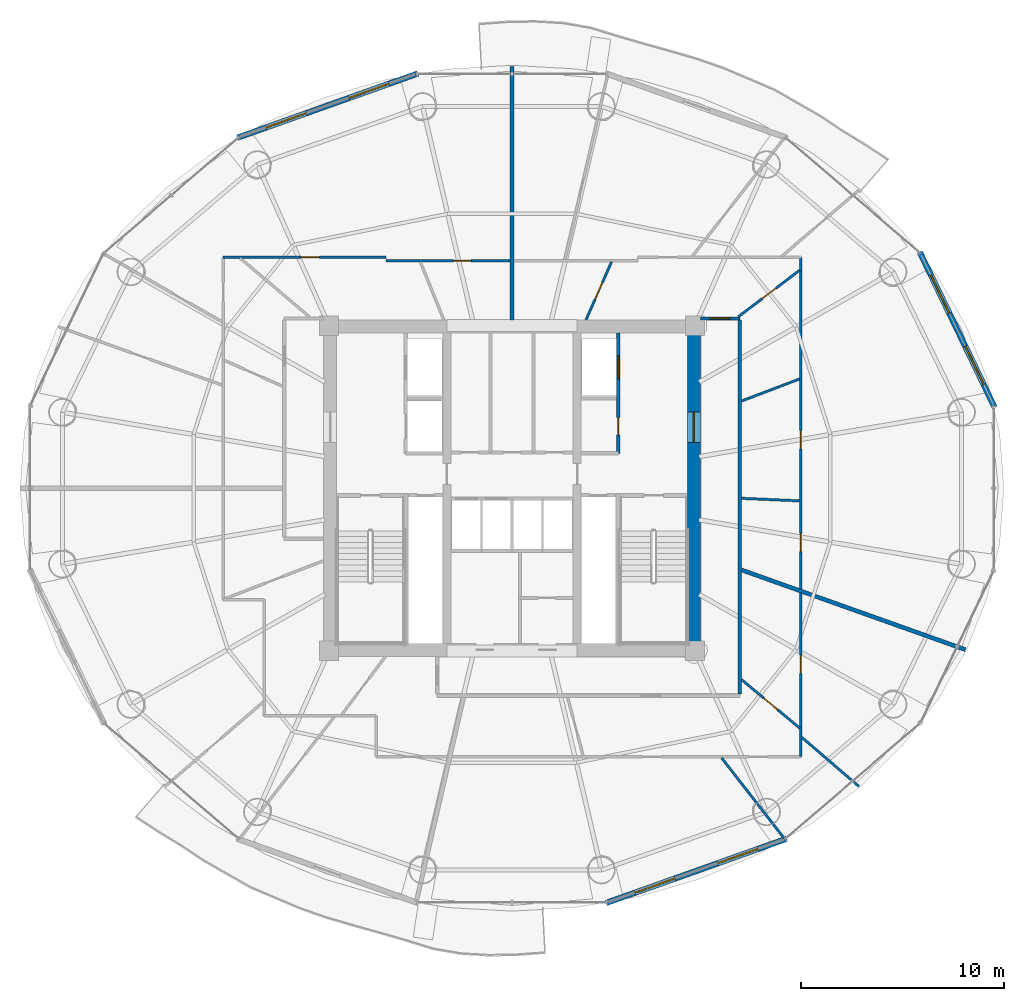
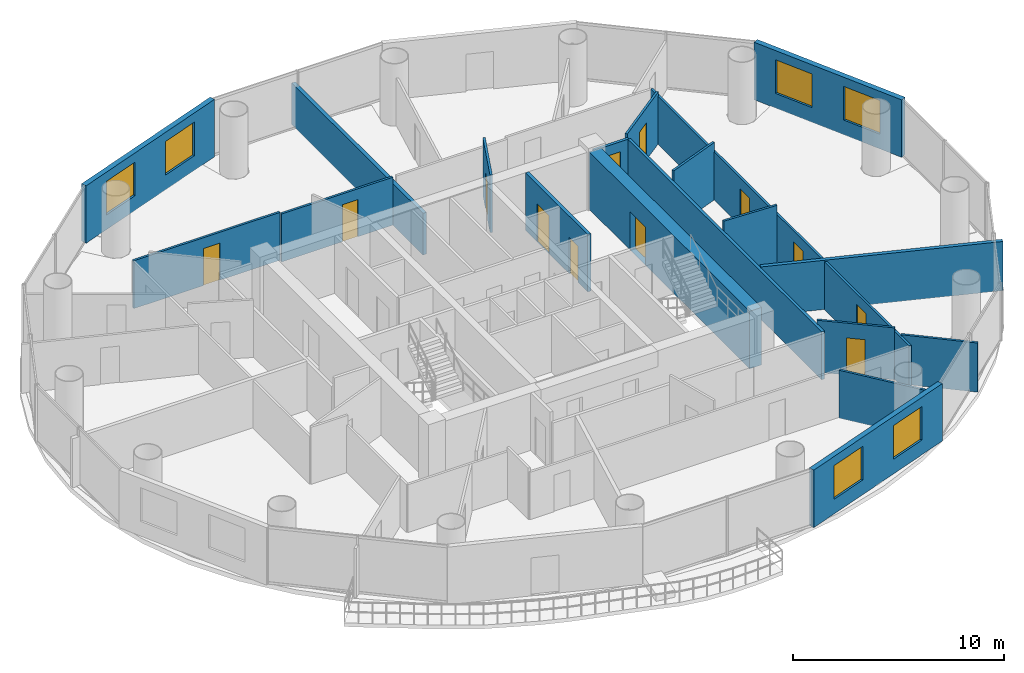
# One storey, part 22 of 26: 20 walls, 12 doors, 6 windows, 18 openings.
"""IFC4 building model written with IfcOpenShell, lengths in metres."""

import ifcopenshell
import ifcopenshell.guid

model = None  # the IFC model being written
_history = None  # IfcOwnerHistory: only IFC2X3 demands one
_inside = {}  # id of a spatial element -> (the spatial element, [elements in it])
_under = {}  # id of a project, library or spatial element -> (it, [spatial elements below it])
_declared = {}  # id of a project -> (the project, [libraries it declares])
_typed = {}  # id of a type object -> (the type object, [elements of that type])
_made_of = {}  # id of a material, layer set ... -> (it, [elements and type objects made of it])


def new_model(schema):
    """Start an empty IFC model of exactly this schema.

    Asked for "IFC4X3", IfcOpenShell would pick the latest addendum, in which some entities
    have other attributes; the version numbers below select the first issue.
    IFC2X3 requires an IfcOwnerHistory on every rooted entity: one is made here for all.
    """
    global model, _history
    if schema == "IFC4X3":
        model = ifcopenshell.file(schema_version=(4, 3, 0, 0))
    else:
        model = ifcopenshell.file(schema=schema)
    _inside.clear()
    _under.clear()
    _declared.clear()
    _typed.clear()
    _made_of.clear()
    _history = None
    if model.schema == "IFC2X3":
        org = make("IfcOrganization", Name="unknown")
        user = make(
            "IfcPersonAndOrganization",
            ThePerson=make("IfcPerson", FamilyName="unknown"),
            TheOrganization=org,
        )
        app = make(
            "IfcApplication",
            ApplicationDeveloper=org,
            Version="unknown",
            ApplicationFullName="unknown",
            ApplicationIdentifier="unknown",
        )
        _history = make(
            "IfcOwnerHistory",
            OwningUser=user,
            OwningApplication=app,
            ChangeAction="ADDED",
            CreationDate=0,
        )
    return model


def make(cls, **values):
    """One entity of the class cls with the attributes given. An attribute that is None is left unset."""
    return model.create_entity(
        cls, **{name: value for name, value in values.items() if value is not None}
    )


def rooted(cls, **values):
    """An entity with a GlobalId (a new one), such as an element, a storey or a relation."""
    return make(cls, GlobalId=ifcopenshell.guid.new(), OwnerHistory=_history, **values)


def si_unit(unit_type, name, prefix=None):
    """IfcSIUnit, for example si_unit("LENGTHUNIT", "METRE", prefix="MILLI")."""
    return make("IfcSIUnit", UnitType=unit_type, Prefix=prefix, Name=name)


def assignment(units):
    """IfcUnitAssignment: the units of a project."""
    return None if units is None else make("IfcUnitAssignment", Units=units)


def point(xyz):
    """IfcCartesianPoint."""
    return None if xyz is None else make("IfcCartesianPoint", Coordinates=xyz)


def direction(xyz):
    """IfcDirection."""
    return None if xyz is None else make("IfcDirection", DirectionRatios=xyz)


def frame(location, z_axis=None, x_axis=None):
    """IfcAxis2Placement3D, a coordinate frame: its origin and axes. An axis left out is left unset."""
    return make(
        "IfcAxis2Placement3D",
        Location=point(location),
        Axis=direction(z_axis),
        RefDirection=direction(x_axis),
    )


def frame_2d(location, x_axis=None):
    """IfcAxis2Placement2D, a coordinate frame in the plane: its origin and x axis."""
    return make(
        "IfcAxis2Placement2D", Location=point(location), RefDirection=direction(x_axis)
    )


def origin():
    """The frame at (0, 0, 0) with its axes left unset."""
    return frame((0.0, 0.0, 0.0))


def place(relative_to, where):
    """IfcLocalPlacement: puts the frame where relative to a parent placement (None: the world)."""
    return make(
        "IfcLocalPlacement", PlacementRelTo=relative_to, RelativePlacement=where
    )


def context(
    kind, dimensions, precision=None, world=None, true_north=None, identifier=None
):
    """IfcGeometricRepresentationContext, for example the 3D "Model" context."""
    return make(
        "IfcGeometricRepresentationContext",
        ContextIdentifier=identifier,
        ContextType=kind,
        CoordinateSpaceDimension=dimensions,
        Precision=precision,
        WorldCoordinateSystem=world,
        TrueNorth=true_north,
    )


def subcontext(parent, identifier, kind, view, scale=None):
    """IfcGeometricRepresentationSubContext, for example "Body" below "Model"."""
    return make(
        "IfcGeometricRepresentationSubContext",
        ContextIdentifier=identifier,
        ContextType=kind,
        ParentContext=parent,
        TargetScale=scale,
        TargetView=view,
    )


def project(units=None, contexts=None):
    """IfcProject with its units and contexts."""
    return rooted(
        "IfcProject",
        Name="project",
        RepresentationContexts=contexts,
        UnitsInContext=assignment(units),
    )


def spatial(cls, under=None, at=None, **own):
    """A site, building, storey or space (cls), placed at a placement, below another one or the project."""
    s = rooted(cls, ObjectPlacement=at, **own)
    if under is not None:
        _under.setdefault(under.id(), (under, []))[1].append(s)
    return s


def profile(cls, at=None, kind="AREA", **sizes):
    """A parametric profile (cls). Its sizes go by their IFC names, for example OverallWidth=200.0."""
    return make(cls, ProfileType=kind, Position=at, **sizes)


def rectangle(**sizes):
    """IfcRectangleProfileDef."""
    return profile("IfcRectangleProfileDef", **sizes)


def extrude(swept, where, along, depth):
    """IfcExtrudedAreaSolid: the profile swept, set in the frame where, extruded along a direction by depth."""
    return make(
        "IfcExtrudedAreaSolid",
        SweptArea=swept,
        Position=where,
        ExtrudedDirection=direction(along),
        Depth=depth,
    )


def shape(context_of_items, identifier, shape_type, items):
    """IfcShapeRepresentation: the items that make up one representation, for example the "Body"."""
    return make(
        "IfcShapeRepresentation",
        ContextOfItems=context_of_items,
        RepresentationIdentifier=identifier,
        RepresentationType=shape_type,
        Items=items,
    )


def source(mapping_origin, context_of_items, identifier, shape_type, items):
    """IfcRepresentationMap: a shape defined once, which mapped items show again and again."""
    return make(
        "IfcRepresentationMap",
        MappingOrigin=mapping_origin,
        MappedRepresentation=shape(context_of_items, identifier, shape_type, items),
    )


def transform(
    local_origin,
    x_axis=None,
    y_axis=None,
    z_axis=None,
    scale=None,
    scale2=None,
    scale3=None,
    uniform=True,
):
    """IfcCartesianTransformationOperator3D, or its non-uniform kind. x_axis, y_axis, z_axis: its Axis1, 2, 3."""
    if uniform:
        return make(
            "IfcCartesianTransformationOperator3D",
            Axis1=direction(x_axis),
            Axis2=direction(y_axis),
            LocalOrigin=point(local_origin),
            Scale=scale,
            Axis3=direction(z_axis),
        )
    return make(
        "IfcCartesianTransformationOperator3DnonUniform",
        Axis1=direction(x_axis),
        Axis2=direction(y_axis),
        LocalOrigin=point(local_origin),
        Scale=scale,
        Axis3=direction(z_axis),
        Scale2=scale2,
        Scale3=scale3,
    )


def mapped(mapping_source, mapping_target):
    """IfcMappedItem: shows the shape of a source again, moved by a transform."""
    return make(
        "IfcMappedItem", MappingSource=mapping_source, MappingTarget=mapping_target
    )


def material(Name=None, Category=None):
    """IfcMaterial."""
    return make("IfcMaterial", Name=Name, Category=Category)


def layer(
    of_material, thickness, ventilated=None, Name=None, Category=None, Priority=None
):
    """IfcMaterialLayer: one layer of a wall or slab, of a material (None: an air gap)."""
    return make(
        "IfcMaterialLayer",
        Material=of_material,
        LayerThickness=thickness,
        IsVentilated=ventilated,
        Name=Name,
        Category=Category,
        Priority=Priority,
    )


def layer_set(layers, Name=None):
    """IfcMaterialLayerSet."""
    return make("IfcMaterialLayerSet", MaterialLayers=layers, LayerSetName=Name)


def made_of(thing, what):
    """Note that an element or type object is made of a material, layer set ...; save() writes the relation."""
    if what is not None:
        _made_of.setdefault(what.id(), (what, []))[1].append(thing)
    return thing


def type_object(cls, material=None, **own):
    """A type object (cls), such as IfcWallType, which elements share."""
    return made_of(rooted(cls, **own), material)


def element(
    cls,
    number,
    at=None,
    inside=None,
    cuts=None,
    type_object=None,
    material=None,
    context=None,
    identifier="Body",
    shape_type=None,
    held_by="IfcProductDefinitionShape",
    body=None,
    shapes=None,
    **own,
):
    """One element of the class cls, such as IfcWall. Its Tag is "e" and its number.

    at: its placement. inside: the storey or other place that contains it. cuts: it is an
    opening in that element (IfcRelVoidsElement). A single representation is given by context,
    identifier, shape_type and body (its items); several are given by shapes. held_by: the class
    of the entity that holds the representations. save() writes the other relations.
    """
    e = rooted(cls, Tag="e%d" % number, ObjectPlacement=at, **own)
    if body is not None:
        shapes = [shape(context, identifier, shape_type, body)]
    if shapes is not None:
        e.Representation = make(held_by, Representations=shapes)
    if inside is not None:
        _inside.setdefault(inside.id(), (inside, []))[1].append(e)
    if cuts is not None:
        rooted(
            "IfcRelVoidsElement", RelatingBuildingElement=cuts, RelatedOpeningElement=e
        )
    if type_object is not None:
        _typed.setdefault(type_object.id(), (type_object, []))[1].append(e)
    return made_of(e, material)


def fill(opening, filler):
    """IfcRelFillsElement: the door or window that sits in an opening."""
    return rooted(
        "IfcRelFillsElement",
        RelatingOpeningElement=opening,
        RelatedBuildingElement=filler,
    )


def aggregate(whole, parts):
    """IfcRelAggregates: a whole, such as a stair, and the parts it consists of."""
    return rooted("IfcRelAggregates", RelatingObject=whole, RelatedObjects=parts)


def save(model, path):
    """Write the relations noted so far, then the file.

    IfcRelAggregates (storeys below a building ...), IfcRelContainedInSpatialStructure (elements
    in a storey), IfcRelDefinesByType, IfcRelAssociatesMaterial and IfcRelDeclares: one each for
    every whole, place, type object, material and project.
    """
    for whole, parts in _under.values():
        aggregate(whole, parts)
    for where, things in _inside.values():
        rooted(
            "IfcRelContainedInSpatialStructure",
            RelatedElements=things,
            RelatingStructure=where,
        )
    for kind, things in _typed.values():
        rooted("IfcRelDefinesByType", RelatedObjects=things, RelatingType=kind)
    for what, things in _made_of.values():
        rooted("IfcRelAssociatesMaterial", RelatedObjects=things, RelatingMaterial=what)
    for by, libraries in _declared.values():
        rooted("IfcRelDeclares", RelatingContext=by, RelatedDefinitions=libraries)
    model.write(path)


model = new_model("IFC4")

# Units and contexts
model_context = context("Model", 3, precision=1e-05, world=origin(), true_north=direction((-0.2419218956, 0.970295726276)))
body_context = subcontext(model_context, "Body", "Model", "MODEL_VIEW")
ifc_project = project(units=[si_unit("LENGTHUNIT", "METRE"), si_unit("AREAUNIT", "SQUARE_METRE"), si_unit("VOLUMEUNIT", "CUBIC_METRE"), si_unit("PLANEANGLEUNIT", "RADIAN"), si_unit("MASSUNIT", "GRAM", prefix="KILO")], contexts=[model_context])

# Site, building, storey
site_placement = place(None, origin())
site = spatial("IfcSite", under=ifc_project, at=site_placement, CompositionType="ELEMENT")
building_placement = place(site_placement, origin())
building = spatial("IfcBuilding", under=site, at=building_placement, Name="Cobrevalo Terracotta Tower", CompositionType="ELEMENT")
storey_placement = place(building_placement, frame((0.0, 0.0, 178.60009765625)))
storey = spatial("IfcBuildingStorey", under=building, at=storey_placement, Name="L47", CompositionType="ELEMENT", Elevation=178.60009765625)

# Wall, opening, door
ifc_material_1 = material(Name="Concrete C55", Category="concrete")
ifc_layer_1 = layer(ifc_material_1, 0.64990234375)
ifc_layer_set_1 = layer_set([ifc_layer_1], Name="Concrete C55")
wall_type_1 = type_object("IfcWallType", Name="Core shear wall 650 mm Concrete C55", PredefinedType="SHEAR", material=ifc_layer_set_1)
wall_1_placement = place(storey_placement, frame((46.949951171875, 19.175048828125, 0.0), z_axis=(0.0, 0.0, 1.0), x_axis=(0.0, 1.0, 0.0)))
wall_1 = element("IfcWall", 1, at=wall_1_placement, inside=storey, type_object=wall_type_1, Name="L47 east core shear wall", PredefinedType="SHEAR", context=body_context, shape_type="SweptSolid", body=[
    extrude(rectangle(XDim=15.25, YDim=0.64990234375, at=frame_2d((7.625, 0.0))), origin(), (0.0, 0.0, 1.0), 3.329833984375),
])
opening_1_placement = place(wall_1_placement, frame((9.875, 0.0, 0.0)))
opening_1 = element("IfcOpeningElement", 2, at=opening_1_placement, cuts=wall_1, Name="Opening ID-14", PredefinedType="OPENING", context=body_context, shape_type="SweptSolid", body=[
    extrude(rectangle(XDim=1.5, YDim=2.199951171875, at=frame_2d((0.75, 1.10009765625))), frame((0.0, 0.3349609375, 0.0), z_axis=(0.0, -1.0, 0.0), x_axis=(1.0, 0.0, 0.0)), (0.0, 0.0, 1.0), 0.669921875),
])
ifc_material_2 = material(Name="Galvanized fire-rated steel", Category="steel")
door_type_1 = type_object("IfcDoorType", Name="Core cross-lobby double fire door 1500x2200 EI 90", OperationType="NOTDEFINED", PredefinedType="DOOR", material=ifc_material_2)
shared_shape_1 = source(origin(), body_context, "Body", "SweptSolid", [
    extrude(rectangle(XDim=1.5, YDim=2.199951171875, at=frame_2d((0.75, 1.10009765625))), frame((0.0, 0.02490234375, 0.0), z_axis=(0.0, -1.0, 0.0), x_axis=(1.0, 0.0, 0.0)), (0.0, 0.0, 1.0), 0.050048828125),
])
door_1_placement = place(opening_1_placement, frame((1.5, 0.0, 0.0), z_axis=(0.0, 0.0, 1.0), x_axis=(-1.0, 0.0, 0.0)))
door_1 = element("IfcDoor", 3, at=door_1_placement, inside=storey, type_object=door_type_1, Name="L47 east firefighting lobby entrance door", OperationType="DOUBLE_DOOR_SINGLE_SWING", OverallHeight=2.199951171875, OverallWidth=1.5, PredefinedType="DOOR", context=body_context, shape_type="MappedRepresentation", body=[
    mapped(shared_shape_1, transform((0.0, 0.0, 0.0), scale=1.0)),
])
fill(opening_1, door_1)

# Wall
ifc_material_3 = material(Name="Gypsum board on steel stud", Category="steel")
ifc_layer_2 = layer(ifc_material_3, 0.159912109375)
ifc_layer_set_2 = layer_set([ifc_layer_2], Name="Gypsum board on steel stud")
wall_type_2 = type_object("IfcWallType", Name="Fire-rated corridor acoustic partition wall 160 mm", PredefinedType="PARTITIONING", material=ifc_layer_set_2)
wall_2_placement = place(storey_placement, frame((49.205078125, 16.675048828125, 0.0), z_axis=(0.0, 0.0, 1.0), x_axis=(0.0, 1.0, 0.0)))
element("IfcWall", 4, at=wall_2_placement, inside=storey, type_object=wall_type_2, Name="L47 interior partition IW-L47-COR-E", PredefinedType="PARTITIONING", context=body_context, shape_type="SweptSolid", body=[
    extrude(rectangle(XDim=18.39990234375, YDim=0.159912109375, at=frame_2d((9.199951171875, 0.0))), origin(), (0.0, 0.0, 1.0), 2.77587890625),
])

# Wall, opening, door
wall_3_placement = place(storey_placement, frame((47.27490234375, 35.155029296875, 0.0), z_axis=(0.0, 0.0, 1.0), x_axis=(1.0, 0.0, 0.0)))
wall_3 = element("IfcWall", 5, at=wall_3_placement, inside=storey, type_object=wall_type_2, Name="L47 interior partition IW-L47-COR-EN-CAP", PredefinedType="PARTITIONING", context=body_context, shape_type="SweptSolid", body=[
    extrude(rectangle(XDim=1.93017578125, YDim=0.159912109375, at=frame_2d((0.965087890625, 0.0))), origin(), (0.0, 0.0, 1.0), 2.77587890625),
])
opening_2_placement = place(wall_3_placement, frame((0.47509765625, 0.0, 0.0)))
opening_2 = element("IfcOpeningElement", 6, at=opening_2_placement, cuts=wall_3, Name="Opening ID-05", PredefinedType="OPENING", context=body_context, shape_type="SweptSolid", body=[
    extrude(rectangle(XDim=0.97998046875, YDim=2.199951171875, at=frame_2d((0.489990234375, 1.10009765625))), frame((0.0, 0.08984375, 0.0), z_axis=(0.0, -1.0, 0.0), x_axis=(1.0, 0.0, 0.0)), (0.0, 0.0, 1.0), 0.179931640625),
])
ifc_material_4 = material(Name="Solid hardwood timber", Category="wood")
door_type_2 = type_object("IfcDoorType", Name="Residence entrance fire-rated acoustic timber door 980x2200 EI 60", OperationType="NOTDEFINED", PredefinedType="DOOR", material=ifc_material_4)
shared_shape_2 = source(origin(), body_context, "Body", "SweptSolid", [
    extrude(rectangle(XDim=0.97998046875, YDim=2.199951171875, at=frame_2d((0.489990234375, 1.10009765625))), frame((0.0, 0.02490234375, 0.0), z_axis=(0.0, -1.0, 0.0), x_axis=(1.0, 0.0, 0.0)), (0.0, 0.0, 1.0), 0.050048828125),
])
door_2_placement = place(opening_2_placement, origin())
door_2 = element("IfcDoor", 7, at=door_2_placement, inside=storey, type_object=door_type_2, Name="Flat L47A fire-rated apartment entrance door", OperationType="SINGLE_SWING_RIGHT", OverallHeight=2.199951171875, OverallWidth=0.97998046875, PredefinedType="DOOR", context=body_context, shape_type="MappedRepresentation", body=[
    mapped(shared_shape_2, transform((0.0, 0.0, 0.0), scale=1.0)),
])
fill(opening_2, door_2)

# Wall, openings, doors
ifc_layer_3 = layer(ifc_material_3, 0.179931640625)
ifc_layer_set_3 = layer_set([ifc_layer_3], Name="Gypsum board on steel stud")
wall_type_3 = type_object("IfcWallType", Name="Fire-rated shaft & lobby acoustic partition wall 180 mm", PredefinedType="PARTITIONING", material=ifc_layer_set_3)
wall_4_placement = place(storey_placement, frame((43.22998046875, 28.52001953125, 0.0), z_axis=(0.0, 0.0, 1.0), x_axis=(0.0, 1.0, 0.0)))
wall_4 = element("IfcWall", 8, at=wall_4_placement, inside=storey, type_object=wall_type_3, Name="L47 interior partition IW-L47-FF2-E", PredefinedType="PARTITIONING", context=body_context, shape_type="SweptSolid", body=[
    extrude(rectangle(XDim=5.905029296875, YDim=0.179931640625, at=frame_2d((2.95263671875, 0.0))), origin(), (0.0, 0.0, 1.0), 3.329833984375),
])
opening_3_placement = place(wall_4_placement, frame((0.905029296875, 0.0, 0.0)))
opening_3 = element("IfcOpeningElement", 9, at=opening_3_placement, cuts=wall_4, Name="Opening ID-22", PredefinedType="OPENING", context=body_context, shape_type="SweptSolid", body=[
    extrude(rectangle(XDim=0.85009765625, YDim=2.10009765625, at=frame_2d((0.425048828125, 1.050048828125))), frame((0.0, 0.10009765625, 0.0), z_axis=(0.0, -1.0, 0.0), x_axis=(1.0, 0.0, 0.0)), (0.0, 0.0, 1.0), 0.199951171875),
])
opening_4_placement = place(wall_4_placement, frame((3.655029296875, 0.0, 0.0)))
opening_4 = element("IfcOpeningElement", 10, at=opening_4_placement, cuts=wall_4, Name="Opening LD-02", PredefinedType="OPENING", context=body_context, shape_type="SweptSolid", body=[
    extrude(rectangle(XDim=1.14990234375, YDim=2.199951171875, at=frame_2d((0.574951171875, 1.10009765625))), frame((0.0, 0.10009765625, 0.0), z_axis=(0.0, -1.0, 0.0), x_axis=(1.0, 0.0, 0.0)), (0.0, 0.0, 1.0), 0.199951171875),
])
ifc_material_5 = material(Name="Powder-coated steel", Category="steel")
door_type_3 = type_object("IfcDoorType", Name="Riser shaft & meter closet fire access door 850x2100 EI 60", OperationType="NOTDEFINED", PredefinedType="DOOR", material=ifc_material_5)
shared_shape_3 = source(origin(), body_context, "Body", "SweptSolid", [
    extrude(rectangle(XDim=0.85009765625, YDim=2.10009765625, at=frame_2d((0.425048828125, 1.050048828125))), frame((0.0, 0.02490234375, 0.0), z_axis=(0.0, -1.0, 0.0), x_axis=(1.0, 0.0, 0.0)), (0.0, 0.0, 1.0), 0.050048828125),
])
door_3_placement = place(opening_3_placement, frame((0.85009765625, 0.0, 0.0), z_axis=(0.0, 0.0, 1.0), x_axis=(-1.0, 0.0, 0.0)))
door_3 = element("IfcDoor", 11, at=door_3_placement, inside=storey, type_object=door_type_3, Name="L47 housekeeping store door", OperationType="SINGLE_SWING_RIGHT", OverallHeight=2.10009765625, OverallWidth=0.85009765625, PredefinedType="DOOR", context=body_context, shape_type="MappedRepresentation", body=[
    mapped(shared_shape_3, transform((0.0, 0.0, 0.0), scale=1.0)),
])
fill(opening_3, door_3)
ifc_material_6 = material(Name="Brushed stainless steel", Category="steel")
door_type_4 = type_object("IfcDoorType", Name="Firefighting lift landing bi-parting sliding door 1150x2200 EI 120", OperationType="DOUBLE_DOOR_SLIDING", PredefinedType="DOOR", material=ifc_material_6)
shared_shape_4 = source(origin(), body_context, "Body", "SweptSolid", [
    extrude(rectangle(XDim=1.14990234375, YDim=2.199951171875, at=frame_2d((0.574951171875, 1.10009765625))), frame((0.0, 0.02490234375, 0.0), z_axis=(0.0, -1.0, 0.0), x_axis=(1.0, 0.0, 0.0)), (0.0, 0.0, 1.0), 0.050048828125),
])
door_4_placement = place(opening_4_placement, origin())
door_4 = element("IfcDoor", 12, at=door_4_placement, inside=storey, type_object=door_type_4, Name="L47 lift landing door FF-2", OperationType="DOUBLE_DOOR_SLIDING", OverallHeight=2.199951171875, OverallWidth=1.14990234375, PredefinedType="DOOR", context=body_context, shape_type="MappedRepresentation", body=[
    mapped(shared_shape_4, transform((0.0, 0.0, 0.0), scale=1.0)),
])
fill(opening_4, door_4)

# Walls
ifc_material_7 = material(Name="Autoclaved aerated concrete block", Category="concrete")
ifc_layer_4 = layer(ifc_material_7, 0.199951171875)
ifc_layer_set_4 = layer_set([ifc_layer_4], Name="Autoclaved aerated concrete block")
wall_type_4 = type_object("IfcWallType", Name="Fire-rated stair, shaft & demising masonry wall 200 mm", PredefinedType="PARTITIONING", material=ifc_layer_set_4)
wall_5_placement = place(storey_placement, frame((49.286865234375, 22.78173828125, 0.0), z_axis=(0.0, 0.0, 1.0), x_axis=(0.942076460895, -0.335398183996, 0.0)))
element("IfcWall", 13, at=wall_5_placement, inside=storey, type_object=wall_type_4, Name="L47 interior partition IW-L47-DEM-1", PredefinedType="PARTITIONING", context=body_context, shape_type="SweptSolid", body=[
    extrude(rectangle(XDim=11.689453125, YDim=0.199951171875, at=frame_2d((5.8447265625, 0.0))), origin(), (0.0, 0.0, 1.0), 2.845947265625),
])
wall_6_placement = place(storey_placement, frame((38.0, 35.074951171875, 0.0), z_axis=(0.0, 0.0, 1.0), x_axis=(0.0, 1.0, 0.0)))
element("IfcWall", 14, at=wall_6_placement, inside=storey, type_object=wall_type_4, Name="L47 interior partition IW-L47-DEM-2", PredefinedType="PARTITIONING", context=body_context, shape_type="SweptSolid", body=[
    extrude(rectangle(XDim=12.465087890625, YDim=0.199951171875, at=frame_2d((6.232421875, 0.0))), origin(), (0.0, 0.0, 1.0), 2.414794921875),
])

# Wall, openings, windows
ifc_layer_5 = layer(ifc_material_7, 0.280029296875)
ifc_layer_set_5 = layer_set([ifc_layer_5], Name="Autoclaved aerated concrete block")
wall_type_5 = type_object("IfcWallType", Name="Insulated tower spandrel & pier wall 280 mm with terracotta rainscreen", PredefinedType="SOLIDWALL", material=ifc_layer_set_5)
wall_7_placement = place(storey_placement, frame((61.740234375, 30.780029296875, 0.0), z_axis=(0.0, 0.0, 1.0), x_axis=(-0.434209827226, 0.900811759437, 0.0)))
wall_7 = element("IfcWall", 15, at=wall_7_placement, inside=storey, type_object=wall_type_5, Name="L47 terracotta rainscreen pier wall S01", PredefinedType="SOLIDWALL", context=body_context, shape_type="SweptSolid", body=[
    extrude(rectangle(XDim=8.4716796875, YDim=0.280029296875, at=frame_2d((4.23583984375, 0.0))), origin(), (0.0, 0.0, 1.0), 3.329833984375),
])
opening_5_placement = place(wall_7_placement, frame((1.2373046875, 0.0, 0.85009765625)))
opening_5 = element("IfcOpeningElement", 16, at=opening_5_placement, cuts=wall_7, Name="Opening WN-10", PredefinedType="OPENING", context=body_context, shape_type="SweptSolid", body=[
    extrude(rectangle(XDim=2.10009765625, YDim=1.949951171875, at=frame_2d((1.050048828125, 0.97509765625))), frame((0.0, 0.14990234375, 0.0), z_axis=(0.0, -1.0, 0.0), x_axis=(1.0, 0.0, 0.0)), (0.0, 0.0, 1.0), 0.300048828125),
])
opening_6_placement = place(wall_7_placement, frame((5.13427734375, 0.0, 0.85009765625)))
opening_6 = element("IfcOpeningElement", 17, at=opening_6_placement, cuts=wall_7, Name="Opening WN-10", PredefinedType="OPENING", context=body_context, shape_type="SweptSolid", body=[
    extrude(rectangle(XDim=2.10009765625, YDim=1.949951171875, at=frame_2d((1.050048828125, 0.97509765625))), frame((0.0, 0.14990234375, 0.0), z_axis=(0.0, -1.0, 0.0), x_axis=(1.0, 0.0, 0.0)), (0.0, 0.0, 1.0), 0.300048828125),
])
ifc_material_8 = material(Name="Solar-control low-E double glazing", Category="glass")
window_type = type_object("IfcWindowType", Name="Wide panoramic low-E aluminium window 2100x1950", PartitioningType="SINGLE_PANEL", PredefinedType="WINDOW", material=ifc_material_8)
shared_shape_5 = source(origin(), body_context, "Body", "SweptSolid", [
    extrude(rectangle(XDim=2.10009765625, YDim=1.949951171875, at=frame_2d((1.050048828125, 0.97509765625))), frame((0.0, 0.030029296875, 0.0), z_axis=(0.0, -1.0, 0.0), x_axis=(1.0, 0.0, 0.0)), (0.0, 0.0, 1.0), 0.06005859375),
])
window_1_placement = place(opening_5_placement, origin())
window_1 = element("IfcWindow", 18, at=window_1_placement, inside=storey, type_object=window_type, Name="L47 suite window S01A", OverallHeight=1.949951171875, OverallWidth=2.10009765625, PartitioningType="SINGLE_PANEL", PredefinedType="WINDOW", context=body_context, shape_type="MappedRepresentation", body=[
    mapped(shared_shape_5, transform((0.0, 0.0, 0.0), scale=1.0)),
])
fill(opening_5, window_1)
window_2_placement = place(opening_6_placement, origin())
window_2 = element("IfcWindow", 19, at=window_2_placement, inside=storey, type_object=window_type, Name="L47 suite window S01B", OverallHeight=1.949951171875, OverallWidth=2.10009765625, PartitioningType="SINGLE_PANEL", PredefinedType="WINDOW", context=body_context, shape_type="MappedRepresentation", body=[
    mapped(shared_shape_5, transform((0.0, 0.0, 0.0), scale=1.0)),
])
fill(opening_6, window_2)

wall_8_placement = place(storey_placement, frame((33.360107421875, 47.19775390625, 0.0), z_axis=(0.0, 0.0, 1.0), x_axis=(-0.942095406405, -0.335344964522, 0.0)))
wall_8 = element("IfcWall", 20, at=wall_8_placement, inside=storey, type_object=wall_type_5, Name="L47 terracotta rainscreen pier wall S05", PredefinedType="SOLIDWALL", context=body_context, shape_type="SweptSolid", body=[
    extrude(rectangle(XDim=9.408203125, YDim=0.280029296875, at=frame_2d((4.7041015625, 0.0))), origin(), (0.0, 0.0, 1.0), 3.329833984375),
])
opening_7_placement = place(wall_8_placement, frame((1.490234375, 0.0, 0.85009765625)))
opening_7 = element("IfcOpeningElement", 21, at=opening_7_placement, cuts=wall_8, Name="Opening WN-10", PredefinedType="OPENING", context=body_context, shape_type="SweptSolid", body=[
    extrude(rectangle(XDim=2.10009765625, YDim=1.949951171875, at=frame_2d((1.050048828125, 0.97509765625))), frame((0.0, 0.14990234375, 0.0), z_axis=(0.0, -1.0, 0.0), x_axis=(1.0, 0.0, 0.0)), (0.0, 0.0, 1.0), 0.300048828125),
])
opening_8_placement = place(wall_8_placement, frame((5.818115234375, 0.0, 0.85009765625)))
opening_8 = element("IfcOpeningElement", 22, at=opening_8_placement, cuts=wall_8, Name="Opening WN-10", PredefinedType="OPENING", context=body_context, shape_type="SweptSolid", body=[
    extrude(rectangle(XDim=2.10009765625, YDim=1.949951171875, at=frame_2d((1.050048828125, 0.97509765625))), frame((0.0, 0.14990234375, 0.0), z_axis=(0.0, -1.0, 0.0), x_axis=(1.0, 0.0, 0.0)), (0.0, 0.0, 1.0), 0.300048828125),
])
window_3_placement = place(opening_7_placement, origin())
window_3 = element("IfcWindow", 23, at=window_3_placement, inside=storey, type_object=window_type, Name="L47 suite window S05A", OverallHeight=1.949951171875, OverallWidth=2.10009765625, PartitioningType="SINGLE_PANEL", PredefinedType="WINDOW", context=body_context, shape_type="MappedRepresentation", body=[
    mapped(shared_shape_5, transform((0.0, 0.0, 0.0), scale=1.0)),
])
fill(opening_7, window_3)
window_4_placement = place(opening_8_placement, origin())
window_4 = element("IfcWindow", 24, at=window_4_placement, inside=storey, type_object=window_type, Name="L47 suite window S05B", OverallHeight=1.949951171875, OverallWidth=2.10009765625, PartitioningType="SINGLE_PANEL", PredefinedType="WINDOW", context=body_context, shape_type="MappedRepresentation", body=[
    mapped(shared_shape_5, transform((0.0, 0.0, 0.0), scale=1.0)),
])
fill(opening_8, window_4)

wall_9_placement = place(storey_placement, frame((42.639892578125, 6.40234375, 0.0), z_axis=(0.0, 0.0, 1.0), x_axis=(0.942103604331, 0.335321932934, 0.0)))
wall_9 = element("IfcWall", 25, at=wall_9_placement, inside=storey, type_object=wall_type_5, Name="L47 terracotta rainscreen pier wall S13", PredefinedType="SOLIDWALL", context=body_context, shape_type="SweptSolid", body=[
    extrude(rectangle(XDim=9.408203125, YDim=0.280029296875, at=frame_2d((4.7041015625, 0.0))), origin(), (0.0, 0.0, 1.0), 3.329833984375),
])
opening_9_placement = place(wall_9_placement, frame((1.490234375, 0.0, 0.85009765625)))
opening_9 = element("IfcOpeningElement", 26, at=opening_9_placement, cuts=wall_9, Name="Opening WN-10", PredefinedType="OPENING", context=body_context, shape_type="SweptSolid", body=[
    extrude(rectangle(XDim=2.10009765625, YDim=1.949951171875, at=frame_2d((1.050048828125, 0.97509765625))), frame((0.0, 0.14990234375, 0.0), z_axis=(0.0, -1.0, 0.0), x_axis=(1.0, 0.0, 0.0)), (0.0, 0.0, 1.0), 0.300048828125),
])
opening_10_placement = place(wall_9_placement, frame((5.818115234375, 0.0, 0.85009765625)))
opening_10 = element("IfcOpeningElement", 27, at=opening_10_placement, cuts=wall_9, Name="Opening WN-10", PredefinedType="OPENING", context=body_context, shape_type="SweptSolid", body=[
    extrude(rectangle(XDim=2.10009765625, YDim=1.949951171875, at=frame_2d((1.050048828125, 0.97509765625))), frame((0.0, 0.14990234375, 0.0), z_axis=(0.0, -1.0, 0.0), x_axis=(1.0, 0.0, 0.0)), (0.0, 0.0, 1.0), 0.300048828125),
])
window_5_placement = place(opening_9_placement, origin())
window_5 = element("IfcWindow", 28, at=window_5_placement, inside=storey, type_object=window_type, Name="L47 suite window S13A", OverallHeight=1.949951171875, OverallWidth=2.10009765625, PartitioningType="SINGLE_PANEL", PredefinedType="WINDOW", context=body_context, shape_type="MappedRepresentation", body=[
    mapped(shared_shape_5, transform((0.0, 0.0, 0.0), scale=1.0)),
])
fill(opening_9, window_5)
window_6_placement = place(opening_10_placement, origin())
window_6 = element("IfcWindow", 29, at=window_6_placement, inside=storey, type_object=window_type, Name="L47 suite window S13B", OverallHeight=1.949951171875, OverallWidth=2.10009765625, PartitioningType="SINGLE_PANEL", PredefinedType="WINDOW", context=body_context, shape_type="MappedRepresentation", body=[
    mapped(shared_shape_5, transform((0.0, 0.0, 0.0), scale=1.0)),
])
fill(opening_10, window_6)

# Wall, openings, doors
ifc_layer_6 = layer(ifc_material_3, 0.1201171875)
ifc_layer_set_6 = layer_set([ifc_layer_6], Name="Gypsum board on steel stud")
wall_type_6 = type_object("IfcWallType", Name="Residential internal acoustic stud partition 120 mm", PredefinedType="PARTITIONING", material=ifc_layer_set_6)
wall_10_placement = place(storey_placement, frame((52.205078125, 38.155029296875, 0.0), z_axis=(0.0, 0.0, 1.0), x_axis=(0.0, -1.0, 0.0)))
wall_10 = element("IfcWall", 30, at=wall_10_placement, inside=storey, type_object=wall_type_6, Name="L47 interior partition IW-L47-U1-RING3_0", PredefinedType="PARTITIONING", context=body_context, shape_type="SweptSolid", body=[
    extrude(rectangle(XDim=16.310302734375, YDim=0.1201171875, at=frame_2d((8.1552734375, 0.0))), origin(), (0.0, 0.0, 1.0), 2.77587890625),
])
opening_11_placement = place(wall_10_placement, frame((13.574462890625, 0.0, 0.0)))
opening_11 = element("IfcOpeningElement", 31, at=opening_11_placement, cuts=wall_10, Name="Opening ID-12", PredefinedType="OPENING", context=body_context, shape_type="SweptSolid", body=[
    extrude(rectangle(XDim=0.89990234375, YDim=2.14990234375, at=frame_2d((0.449951171875, 1.074951171875))), frame((0.0, 0.070068359375, 0.0), z_axis=(0.0, -1.0, 0.0), x_axis=(1.0, 0.0, 0.0)), (0.0, 0.0, 1.0), 0.14013671875),
])
opening_12_placement = place(wall_10_placement, frame((8.51806640625, 0.0, 0.0)))
opening_12 = element("IfcOpeningElement", 32, at=opening_12_placement, cuts=wall_10, Name="Opening ID-12", PredefinedType="OPENING", context=body_context, shape_type="SweptSolid", body=[
    extrude(rectangle(XDim=0.89990234375, YDim=2.14990234375, at=frame_2d((0.449951171875, 1.074951171875))), frame((0.0, 0.070068359375, 0.0), z_axis=(0.0, -1.0, 0.0), x_axis=(1.0, 0.0, 0.0)), (0.0, 0.0, 1.0), 0.14013671875),
])
ifc_material_9 = material(Name="Engineered timber", Category="wood")
door_type_5 = type_object("IfcDoorType", Name="Internal residence & suite timber door 900x2150", OperationType="NOTDEFINED", PredefinedType="DOOR", material=ifc_material_9)
shared_shape_6 = source(origin(), body_context, "Body", "SweptSolid", [
    extrude(rectangle(XDim=0.89990234375, YDim=2.14990234375, at=frame_2d((0.449951171875, 1.074951171875))), frame((0.0, 0.02490234375, 0.0), z_axis=(0.0, -1.0, 0.0), x_axis=(1.0, 0.0, 0.0)), (0.0, 0.0, 1.0), 0.050048828125),
])
door_5_placement = place(opening_11_placement, frame((0.89990234375, 0.0, 0.0), z_axis=(0.0, 0.0, 1.0), x_axis=(-1.0, 0.0, 0.0)))
door_5 = element("IfcDoor", 33, at=door_5_placement, inside=storey, type_object=door_type_5, Name="Flat L47A Private Library Meeting Room internal door", OperationType="SINGLE_SWING_LEFT", OverallHeight=2.14990234375, OverallWidth=0.89990234375, PredefinedType="DOOR", context=body_context, shape_type="MappedRepresentation", body=[
    mapped(shared_shape_6, transform((0.0, 0.0, 0.0), scale=1.0)),
])
fill(opening_11, door_5)
door_6_placement = place(opening_12_placement, frame((0.89990234375, 0.0, 0.0), z_axis=(0.0, 0.0, 1.0), x_axis=(-1.0, 0.0, 0.0)))
door_6 = element("IfcDoor", 34, at=door_6_placement, inside=storey, type_object=door_type_5, Name="Flat L47A Utility Closet internal door", OperationType="SINGLE_SWING_RIGHT", OverallHeight=2.14990234375, OverallWidth=0.89990234375, PredefinedType="DOOR", context=body_context, shape_type="MappedRepresentation", body=[
    mapped(shared_shape_6, transform((0.0, 0.0, 0.0), scale=1.0)),
])
fill(opening_12, door_6)

# Walls
wall_11_placement = place(storey_placement, frame((49.287109375, 26.30419921875, 0.0), z_axis=(0.0, 0.0, 1.0), x_axis=(0.999039813392, -0.043811542509, 0.0)))
element("IfcWall", 35, at=wall_11_placement, inside=storey, type_object=wall_type_6, Name="L47 interior partition IW-L47-U1-IRAD1", PredefinedType="PARTITIONING", context=body_context, shape_type="SweptSolid", body=[
    extrude(rectangle(XDim=2.858642578125, YDim=0.1201171875, at=frame_2d((1.42919921875, 0.0))), origin(), (0.0, 0.0, 1.0), 3.329833984375),
])
wall_12_placement = place(storey_placement, frame((49.286865234375, 31.0888671875, 0.0), z_axis=(0.0, 0.0, 1.0), x_axis=(0.934802126635, 0.3551689514, 0.0)))
element("IfcWall", 36, at=wall_12_placement, inside=storey, type_object=wall_type_6, Name="L47 interior partition IW-L47-U1-IRAD2", PredefinedType="PARTITIONING", context=body_context, shape_type="SweptSolid", body=[
    extrude(rectangle(XDim=3.0595703125, YDim=0.1201171875, at=frame_2d((1.52978515625, 0.0))), origin(), (0.0, 0.0, 1.0), 3.329833984375),
])

# Wall, opening, door
wall_13_placement = place(storey_placement, frame((49.133056640625, 35.236328125, 0.0), z_axis=(0.0, 0.0, 1.0), x_axis=(0.797054583929, 0.603907269568, 0.0)))
wall_13 = element("IfcWall", 37, at=wall_13_placement, inside=storey, type_object=wall_type_6, Name="L47 interior partition IW-L47-U1-IRAD3", PredefinedType="PARTITIONING", context=body_context, shape_type="SweptSolid", body=[
    extrude(rectangle(XDim=3.7919921875, YDim=0.1201171875, at=frame_2d((1.89599609375, 0.0))), origin(), (0.0, 0.0, 1.0), 3.0048828125),
])
opening_13_placement = place(wall_13_placement, frame((1.466064453125, 0.0, 0.0)))
opening_13 = element("IfcOpeningElement", 38, at=opening_13_placement, cuts=wall_13, Name="Opening ID-19", PredefinedType="OPENING", context=body_context, shape_type="SweptSolid", body=[
    extrude(rectangle(XDim=0.860107421875, YDim=2.14990234375, at=frame_2d((0.43017578125, 1.074951171875))), frame((0.0, 0.070068359375, 0.0), z_axis=(0.0, -1.0, 0.0), x_axis=(1.0, 0.0, 0.0)), (0.0, 0.0, 1.0), 0.14013671875),
])
ifc_material_10 = material(Name="Moisture-sealed timber", Category="wood")
door_type_6 = type_object("IfcDoorType", Name="Suite bathroom internal timber door 860x2150", OperationType="NOTDEFINED", PredefinedType="DOOR", material=ifc_material_10)
shared_shape_7 = source(origin(), body_context, "Body", "SweptSolid", [
    extrude(rectangle(XDim=0.860107421875, YDim=2.14990234375, at=frame_2d((0.43017578125, 1.074951171875))), frame((0.0, 0.02490234375, 0.0), z_axis=(0.0, -1.0, 0.0), x_axis=(1.0, 0.0, 0.0)), (0.0, 0.0, 1.0), 0.050048828125),
])
door_7_placement = place(opening_13_placement, frame((0.860107421875, 0.0, 0.0), z_axis=(0.0, 0.0, 1.0), x_axis=(-1.0, 0.0, 0.0)))
door_7 = element("IfcDoor", 39, at=door_7_placement, inside=storey, type_object=door_type_6, Name="Flat L47A Primary Bathroom internal door", OperationType="SINGLE_SWING_LEFT", OverallHeight=2.14990234375, OverallWidth=0.860107421875, PredefinedType="DOOR", context=body_context, shape_type="MappedRepresentation", body=[
    mapped(shared_shape_7, transform((0.0, 0.0, 0.0), scale=1.0)),
])
fill(opening_13, door_7)

wall_14_placement = place(storey_placement, frame((41.637939453125, 35.074951171875, 0.0), z_axis=(0.0, 0.0, 1.0), x_axis=(0.402456087228, 0.915439292282, 0.0)))
wall_14 = element("IfcWall", 40, at=wall_14_placement, inside=storey, type_object=wall_type_6, Name="L47 interior partition IW-L47-U1-IRAD4", PredefinedType="PARTITIONING", context=body_context, shape_type="SweptSolid", body=[
    extrude(rectangle(XDim=3.127685546875, YDim=0.1201171875, at=frame_2d((1.56396484375, 0.0))), origin(), (0.0, 0.0, 1.0), 3.329833984375),
])
opening_14_placement = place(wall_14_placement, frame((1.114013671875, 0.0, 0.0)))
opening_14 = element("IfcOpeningElement", 41, at=opening_14_placement, cuts=wall_14, Name="Opening ID-12", PredefinedType="OPENING", context=body_context, shape_type="SweptSolid", body=[
    extrude(rectangle(XDim=0.89990234375, YDim=2.14990234375, at=frame_2d((0.449951171875, 1.074951171875))), frame((0.0, 0.070068359375, 0.0), z_axis=(0.0, -1.0, 0.0), x_axis=(1.0, 0.0, 0.0)), (0.0, 0.0, 1.0), 0.14013671875),
])
door_8_placement = place(opening_14_placement, origin())
door_8 = element("IfcDoor", 42, at=door_8_placement, inside=storey, type_object=door_type_5, Name="Flat L47A Kitchen internal door", OperationType="SINGLE_SWING_RIGHT", OverallHeight=2.14990234375, OverallWidth=0.89990234375, PredefinedType="DOOR", context=body_context, shape_type="MappedRepresentation", body=[
    mapped(shared_shape_6, transform((0.0, 0.0, 0.0), scale=1.0)),
])
fill(opening_14, door_8)

wall_15_placement = place(storey_placement, frame((23.794921875, 38.155029296875, 0.0), z_axis=(0.0, 0.0, 1.0), x_axis=(1.0, 0.0, 0.0)))
wall_15 = element("IfcWall", 43, at=wall_15_placement, inside=storey, type_object=wall_type_6, Name="L47 interior partition IW-L47-U2-RING1_0", PredefinedType="PARTITIONING", context=body_context, shape_type="SweptSolid", body=[
    extrude(rectangle(XDim=8.010009765625, YDim=0.1201171875, at=frame_2d((4.0048828125, 0.0))), origin(), (0.0, 0.0, 1.0), 2.77587890625),
])
opening_15_placement = place(wall_15_placement, frame((3.82958984375, 0.0, 0.0)))
opening_15 = element("IfcOpeningElement", 44, at=opening_15_placement, cuts=wall_15, Name="Opening ID-12", PredefinedType="OPENING", context=body_context, shape_type="SweptSolid", body=[
    extrude(rectangle(XDim=0.89990234375, YDim=2.14990234375, at=frame_2d((0.449951171875, 1.074951171875))), frame((0.0, 0.070068359375, 0.0), z_axis=(0.0, -1.0, 0.0), x_axis=(1.0, 0.0, 0.0)), (0.0, 0.0, 1.0), 0.14013671875),
])
door_9_placement = place(opening_15_placement, frame((0.89990234375, 0.0, 0.0), z_axis=(0.0, 0.0, 1.0), x_axis=(-1.0, 0.0, 0.0)))
door_9 = element("IfcDoor", 45, at=door_9_placement, inside=storey, type_object=door_type_5, Name="Flat L47B Reception Hallway internal door", OperationType="SINGLE_SWING_LEFT", OverallHeight=2.14990234375, OverallWidth=0.89990234375, PredefinedType="DOOR", context=body_context, shape_type="MappedRepresentation", body=[
    mapped(shared_shape_6, transform((0.0, 0.0, 0.0), scale=1.0)),
])
fill(opening_15, door_9)

wall_16_placement = place(storey_placement, frame((31.804931640625, 37.9951171875, 0.0), z_axis=(0.0, 0.0, 1.0), x_axis=(1.0, 0.0, 0.0)))
wall_16 = element("IfcWall", 46, at=wall_16_placement, inside=storey, type_object=wall_type_6, Name="L47 interior partition IW-L47-U2-RING3_0", PredefinedType="PARTITIONING", context=body_context, shape_type="SweptSolid", body=[
    extrude(rectangle(XDim=6.093017578125, YDim=0.1201171875, at=frame_2d((3.04638671875, 0.0))), origin(), (0.0, 0.0, 1.0), 2.77587890625),
])
opening_16_placement = place(wall_16_placement, frame((3.327392578125, 0.0, 0.0)))
opening_16 = element("IfcOpeningElement", 47, at=opening_16_placement, cuts=wall_16, Name="Opening ID-19", PredefinedType="OPENING", context=body_context, shape_type="SweptSolid", body=[
    extrude(rectangle(XDim=0.860107421875, YDim=2.14990234375, at=frame_2d((0.43017578125, 1.074951171875))), frame((0.0, 0.070068359375, 0.0), z_axis=(0.0, -1.0, 0.0), x_axis=(1.0, 0.0, 0.0)), (0.0, 0.0, 1.0), 0.14013671875),
])
door_10_placement = place(opening_16_placement, frame((0.860107421875, 0.0, 0.0), z_axis=(0.0, 0.0, 1.0), x_axis=(-1.0, 0.0, 0.0)))
door_10 = element("IfcDoor", 48, at=door_10_placement, inside=storey, type_object=door_type_6, Name="Flat L47B Primary Bathroom internal door", OperationType="SINGLE_SWING_RIGHT", OverallHeight=2.14990234375, OverallWidth=0.860107421875, PredefinedType="DOOR", context=body_context, shape_type="MappedRepresentation", body=[
    mapped(shared_shape_7, transform((0.0, 0.0, 0.0), scale=1.0)),
])
fill(opening_16, door_10)

wall_17_placement = place(storey_placement, frame((52.205078125, 21.640869140625, 0.0), z_axis=(0.0, 0.0, 1.0), x_axis=(0.0, -1.0, 0.0)))
wall_17 = element("IfcWall", 49, at=wall_17_placement, inside=storey, type_object=wall_type_6, Name="L47 interior partition IW-L47-U4-RING0_0", PredefinedType="PARTITIONING", context=body_context, shape_type="SweptSolid", body=[
    extrude(rectangle(XDim=8.0458984375, YDim=0.1201171875, at=frame_2d((4.02294921875, 0.0))), origin(), (0.0, 0.0, 1.0), 2.77587890625),
])
opening_17_placement = place(wall_17_placement, frame((3.052001953125, 0.0, 0.0)))
opening_17 = element("IfcOpeningElement", 50, at=opening_17_placement, cuts=wall_17, Name="Opening ID-12", PredefinedType="OPENING", context=body_context, shape_type="SweptSolid", body=[
    extrude(rectangle(XDim=0.89990234375, YDim=2.14990234375, at=frame_2d((0.449951171875, 1.074951171875))), frame((0.0, 0.070068359375, 0.0), z_axis=(0.0, -1.0, 0.0), x_axis=(1.0, 0.0, 0.0)), (0.0, 0.0, 1.0), 0.14013671875),
])
door_11_placement = place(opening_17_placement, origin())
door_11 = element("IfcDoor", 51, at=door_11_placement, inside=storey, type_object=door_type_5, Name="Flat L47D Penthouse Family Lounge internal door", OperationType="SINGLE_SWING_RIGHT", OverallHeight=2.14990234375, OverallWidth=0.89990234375, PredefinedType="DOOR", context=body_context, shape_type="MappedRepresentation", body=[
    mapped(shared_shape_6, transform((0.0, 0.0, 0.0), scale=1.0)),
])
fill(opening_17, door_11)

# Walls
wall_18_placement = place(storey_placement, frame((48.3037109375, 13.546142578125, 0.0), z_axis=(0.0, 0.0, 1.0), x_axis=(0.613734792328, -0.789512257464, 0.0)))
element("IfcWall", 52, at=wall_18_placement, inside=storey, type_object=wall_type_6, Name="L47 interior partition IW-L47-U4-ORAD1", PredefinedType="PARTITIONING", context=body_context, shape_type="SweptSolid", body=[
    extrude(rectangle(XDim=5.009765625, YDim=0.1201171875, at=frame_2d((2.5048828125, 0.0))), origin(), (0.0, 0.0, 1.0), 2.77587890625),
])
wall_19_placement = place(storey_placement, frame((52.251953125, 14.55029296875, 0.0), z_axis=(0.0, 0.0, 1.0), x_axis=(0.758368113794, -0.651826513714, 0.0)))
element("IfcWall", 53, at=wall_19_placement, inside=storey, type_object=wall_type_6, Name="L47 interior partition IW-L47-U4-ORAD2M1", PredefinedType="PARTITIONING", context=body_context, shape_type="SweptSolid", body=[
    extrude(rectangle(XDim=3.707763671875, YDim=0.1201171875, at=frame_2d((1.85400390625, 0.0))), origin(), (0.0, 0.0, 1.0), 2.845947265625),
])

# Wall, opening, door
wall_20_placement = place(storey_placement, frame((49.28662109375, 17.389892578125, 0.0), z_axis=(0.0, 0.0, 1.0), x_axis=(0.768065994597, -0.640370695725, 0.0)))
wall_20 = element("IfcWall", 54, at=wall_20_placement, inside=storey, type_object=wall_type_6, Name="L47 interior partition IW-L47-U4-IRAD2", PredefinedType="PARTITIONING", context=body_context, shape_type="SweptSolid", body=[
    extrude(rectangle(XDim=3.73779296875, YDim=0.1201171875, at=frame_2d((1.868896484375, 0.0))), origin(), (0.0, 0.0, 1.0), 3.0048828125),
])
opening_18_placement = place(wall_20_placement, frame((1.4189453125, 0.0, 0.0)))
opening_18 = element("IfcOpeningElement", 55, at=opening_18_placement, cuts=wall_20, Name="Opening ID-12", PredefinedType="OPENING", context=body_context, shape_type="SweptSolid", body=[
    extrude(rectangle(XDim=0.89990234375, YDim=2.14990234375, at=frame_2d((0.449951171875, 1.074951171875))), frame((0.0, 0.070068359375, 0.0), z_axis=(0.0, -1.0, 0.0), x_axis=(1.0, 0.0, 0.0)), (0.0, 0.0, 1.0), 0.14013671875),
])
door_12_placement = place(opening_18_placement, origin())
door_12 = element("IfcDoor", 56, at=door_12_placement, inside=storey, type_object=door_type_5, Name="Flat L47D Kitchen internal door", OperationType="SINGLE_SWING_LEFT", OverallHeight=2.14990234375, OverallWidth=0.89990234375, PredefinedType="DOOR", context=body_context, shape_type="MappedRepresentation", body=[
    mapped(shared_shape_6, transform((0.0, 0.0, 0.0), scale=1.0)),
])
fill(opening_18, door_12)

save(model, "model.ifc")
